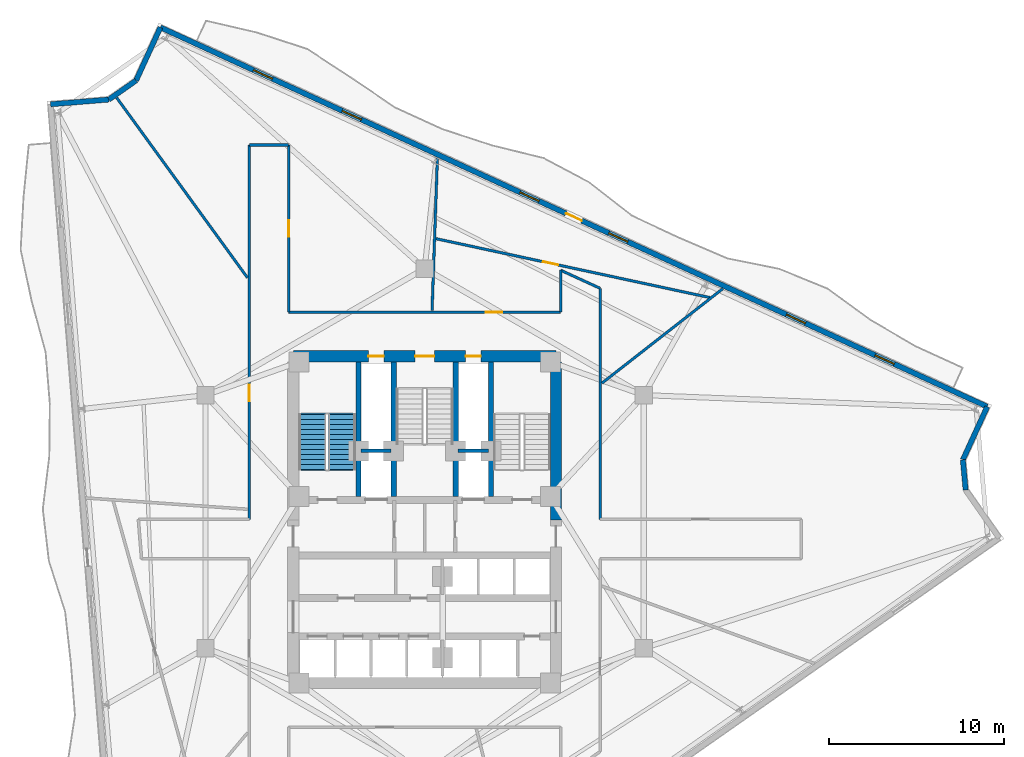
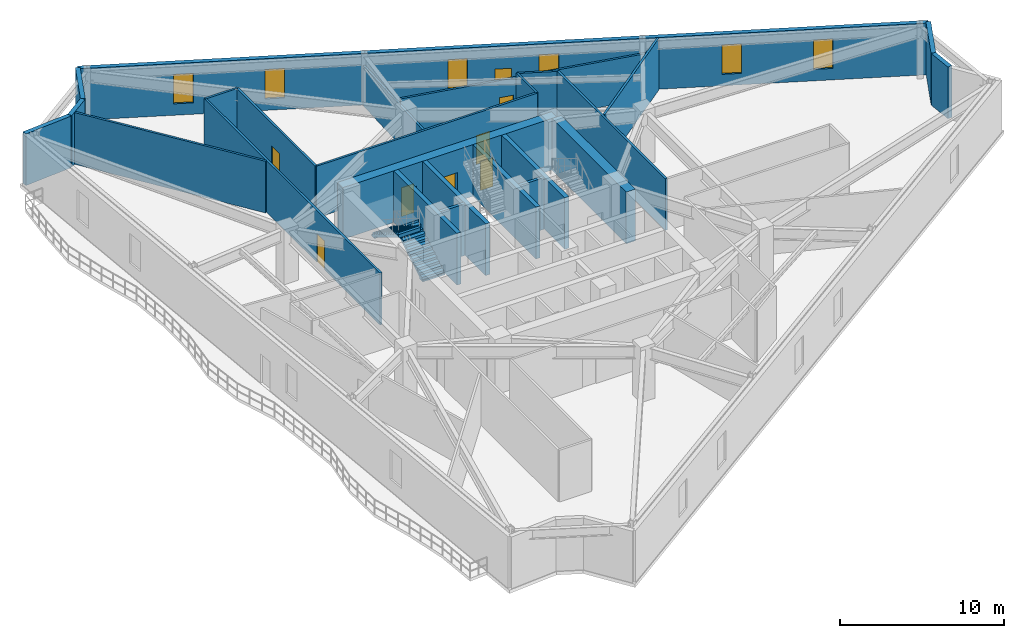
# One storey, part 6 of 10: 25 walls, 8 doors, 6 windows, 2 stair flights, 14 openings, 1 element without a shape of its own.
"""IFC4 building model written with IfcOpenShell, lengths in metres."""

from ifc_helpers import new_model, si_unit, direction, frame, frame_2d, origin, place, context, subcontext, project, spatial, polyline, rectangle, outline, extrude, material, layer, layer_set, type_object, element, fill, aggregate, save


model = new_model("IFC4")

# Units and contexts
model_context = context("Model", 3, precision=1e-05, world=origin(), true_north=direction((0.0, 1.0)))
body_context = subcontext(model_context, "Body", "Model", "MODEL_VIEW")
ifc_project = project(units=[si_unit("LENGTHUNIT", "METRE"), si_unit("AREAUNIT", "SQUARE_METRE"), si_unit("VOLUMEUNIT", "CUBIC_METRE"), si_unit("PLANEANGLEUNIT", "RADIAN"), si_unit("MASSUNIT", "GRAM", prefix="KILO")], contexts=[model_context])

# Site, building, storey
site_placement = place(None, origin())
site = spatial("IfcSite", under=ifc_project, at=site_placement, CompositionType="ELEMENT")
building_placement = place(site_placement, origin())
building = spatial("IfcBuilding", under=site, at=building_placement, Name="Apsidion Concourse Tower", CompositionType="ELEMENT")
storey_placement = place(building_placement, frame((0.0, 0.0, 202.39990234375)))
storey = spatial("IfcBuildingStorey", under=building, at=storey_placement, Name="L47", CompositionType="ELEMENT", Elevation=202.39990234375)

# Wall, openings, door, windows
ifc_material_1 = material(Name="Precast concrete C40/50", Category="concrete")
ifc_layer_1 = layer(ifc_material_1, 0.300048828125)
ifc_layer_set_1 = layer_set([ifc_layer_1], Name="Precast concrete C40/50")
wall_type_1 = type_object("IfcWallType", Name="WL-EXT-300", PredefinedType="STANDARD", material=ifc_layer_set_1)
wall_1_placement = place(storey_placement, frame((-15.1435546875, 28.32177734375, 0.0), z_axis=(0.0, 0.0, 1.0), x_axis=(0.908932099953, -0.416944166136, 0.0)))
wall_1 = element("IfcWall", 1, at=wall_1_placement, inside=storey, type_object=wall_type_1, Name="L47 Precast Stone Facade Wall 01", PredefinedType="STANDARD", context=body_context, shape_type="SweptSolid", body=[
    extrude(rectangle(XDim=52.127685546875, YDim=0.300048828125, at=frame_2d((26.06396484375, 0.0))), origin(), (0.0, 0.0, 1.0), 3.85009765625),
])
opening_1_placement = place(wall_1_placement, frame((25.56396484375, 0.0, 0.0)))
opening_1 = element("IfcOpeningElement", 2, at=opening_1_placement, cuts=wall_1, Name="Opening D-T1R", PredefinedType="OPENING", context=body_context, shape_type="SweptSolid", body=[
    extrude(rectangle(XDim=1.0, YDim=2.14990234375, at=frame_2d((0.5, 1.074951171875))), frame((0.0, 0.16015625, 0.0), z_axis=(0.0, -1.0, 0.0), x_axis=(1.0, 0.0, 0.0)), (0.0, 0.0, 1.0), 0.320068359375),
])
opening_2_placement = place(wall_1_placement, frame((5.864013671875, 0.0, 0.85009765625)))
opening_2 = element("IfcOpeningElement", 3, at=opening_2_placement, cuts=wall_1, Name="Opening WN-06", PredefinedType="OPENING", context=body_context, shape_type="SweptSolid", body=[
    extrude(rectangle(XDim=1.199951171875, YDim=2.199951171875, at=frame_2d((0.60009765625, 1.10009765625))), frame((0.0, 0.16015625, 0.0), z_axis=(0.0, -1.0, 0.0), x_axis=(1.0, 0.0, 0.0)), (0.0, 0.0, 1.0), 0.320068359375),
])
opening_3_placement = place(wall_1_placement, frame((11.4638671875, 0.0, 0.85009765625)))
opening_3 = element("IfcOpeningElement", 4, at=opening_3_placement, cuts=wall_1, Name="Opening WN-06", PredefinedType="OPENING", context=body_context, shape_type="SweptSolid", body=[
    extrude(rectangle(XDim=1.199951171875, YDim=2.199951171875, at=frame_2d((0.60009765625, 1.10009765625))), frame((0.0, 0.16015625, 0.0), z_axis=(0.0, -1.0, 0.0), x_axis=(1.0, 0.0, 0.0)), (0.0, 0.0, 1.0), 0.320068359375),
])
opening_4_placement = place(wall_1_placement, frame((22.663818359375, 0.0, 0.85009765625)))
opening_4 = element("IfcOpeningElement", 5, at=opening_4_placement, cuts=wall_1, Name="Opening WN-06", PredefinedType="OPENING", context=body_context, shape_type="SweptSolid", body=[
    extrude(rectangle(XDim=1.199951171875, YDim=2.199951171875, at=frame_2d((0.60009765625, 1.10009765625))), frame((0.0, 0.16015625, 0.0), z_axis=(0.0, -1.0, 0.0), x_axis=(1.0, 0.0, 0.0)), (0.0, 0.0, 1.0), 0.320068359375),
])
opening_5_placement = place(wall_1_placement, frame((28.263916015625, 0.0, 0.85009765625)))
opening_5 = element("IfcOpeningElement", 6, at=opening_5_placement, cuts=wall_1, Name="Opening WN-06", PredefinedType="OPENING", context=body_context, shape_type="SweptSolid", body=[
    extrude(rectangle(XDim=1.199951171875, YDim=2.199951171875, at=frame_2d((0.60009765625, 1.10009765625))), frame((0.0, 0.16015625, 0.0), z_axis=(0.0, -1.0, 0.0), x_axis=(1.0, 0.0, 0.0)), (0.0, 0.0, 1.0), 0.320068359375),
])
opening_6_placement = place(wall_1_placement, frame((39.4638671875, 0.0, 0.85009765625)))
opening_6 = element("IfcOpeningElement", 7, at=opening_6_placement, cuts=wall_1, Name="Opening WN-06", PredefinedType="OPENING", context=body_context, shape_type="SweptSolid", body=[
    extrude(rectangle(XDim=1.199951171875, YDim=2.199951171875, at=frame_2d((0.60009765625, 1.10009765625))), frame((0.0, 0.16015625, 0.0), z_axis=(0.0, -1.0, 0.0), x_axis=(1.0, 0.0, 0.0)), (0.0, 0.0, 1.0), 0.320068359375),
])
opening_7_placement = place(wall_1_placement, frame((45.06396484375, 0.0, 0.85009765625)))
opening_7 = element("IfcOpeningElement", 8, at=opening_7_placement, cuts=wall_1, Name="Opening WN-06", PredefinedType="OPENING", context=body_context, shape_type="SweptSolid", body=[
    extrude(rectangle(XDim=1.199951171875, YDim=2.199951171875, at=frame_2d((0.60009765625, 1.10009765625))), frame((0.0, 0.16015625, 0.0), z_axis=(0.0, -1.0, 0.0), x_axis=(1.0, 0.0, 0.0)), (0.0, 0.0, 1.0), 0.320068359375),
])
ifc_material_2 = material(Name="Anodised aluminium EN AW-6063 T6", Category="aluminium")
door_type_1 = type_object("IfcDoorType", Name="DR-TER-1022R", OperationType="SINGLE_SWING_RIGHT", PredefinedType="DOOR", material=ifc_material_2)
door_1_placement = place(opening_1_placement, origin())
door_1 = element("IfcDoor", 9, at=door_1_placement, inside=storey, type_object=door_type_1, Name="L47 Balcony Access Door 1", OperationType="SINGLE_SWING_RIGHT", OverallHeight=2.14990234375, OverallWidth=1.0, PredefinedType="DOOR", context=body_context, shape_type="SweptSolid", body=[
    extrude(rectangle(XDim=1.0, YDim=2.14990234375, at=frame_2d((0.5, 1.074951171875))), frame((0.0, 0.02490234375, 0.0), z_axis=(0.0, -1.0, 0.0), x_axis=(1.0, 0.0, 0.0)), (0.0, 0.0, 1.0), 0.050048828125),
])
fill(opening_1, door_1)
ifc_material_3 = material(Name="Insulated laminated low-E glass", Category="glass")
window_type = type_object("IfcWindowType", Name="WN-OFF-1224", PartitioningType="SINGLE_PANEL", PredefinedType="WINDOW", material=ifc_material_3)
window_1_placement = place(opening_2_placement, origin())
window_1 = element("IfcWindow", 10, at=window_1_placement, inside=storey, type_object=window_type, Name="L47 Punched Facade Window 1-01", OverallHeight=2.199951171875, OverallWidth=1.199951171875, PartitioningType="SINGLE_PANEL", PredefinedType="WINDOW", context=body_context, shape_type="SweptSolid", body=[
    extrude(rectangle(XDim=1.199951171875, YDim=2.199951171875, at=frame_2d((0.60009765625, 1.10009765625))), frame((0.0, 0.030029296875, 0.0), z_axis=(0.0, -1.0, 0.0), x_axis=(1.0, 0.0, 0.0)), (0.0, 0.0, 1.0), 0.06005859375),
])
fill(opening_2, window_1)
window_2_placement = place(opening_3_placement, origin())
window_2 = element("IfcWindow", 11, at=window_2_placement, inside=storey, type_object=window_type, Name="L47 Punched Facade Window 1-02", OverallHeight=2.199951171875, OverallWidth=1.199951171875, PartitioningType="SINGLE_PANEL", PredefinedType="WINDOW", context=body_context, shape_type="SweptSolid", body=[
    extrude(rectangle(XDim=1.199951171875, YDim=2.199951171875, at=frame_2d((0.60009765625, 1.10009765625))), frame((0.0, 0.030029296875, 0.0), z_axis=(0.0, -1.0, 0.0), x_axis=(1.0, 0.0, 0.0)), (0.0, 0.0, 1.0), 0.06005859375),
])
fill(opening_3, window_2)
window_3_placement = place(opening_4_placement, origin())
window_3 = element("IfcWindow", 12, at=window_3_placement, inside=storey, type_object=window_type, Name="L47 Punched Facade Window 1-04", OverallHeight=2.199951171875, OverallWidth=1.199951171875, PartitioningType="SINGLE_PANEL", PredefinedType="WINDOW", context=body_context, shape_type="SweptSolid", body=[
    extrude(rectangle(XDim=1.199951171875, YDim=2.199951171875, at=frame_2d((0.60009765625, 1.10009765625))), frame((0.0, 0.030029296875, 0.0), z_axis=(0.0, -1.0, 0.0), x_axis=(1.0, 0.0, 0.0)), (0.0, 0.0, 1.0), 0.06005859375),
])
fill(opening_4, window_3)
window_4_placement = place(opening_5_placement, origin())
window_4 = element("IfcWindow", 13, at=window_4_placement, inside=storey, type_object=window_type, Name="L47 Punched Facade Window 1-05", OverallHeight=2.199951171875, OverallWidth=1.199951171875, PartitioningType="SINGLE_PANEL", PredefinedType="WINDOW", context=body_context, shape_type="SweptSolid", body=[
    extrude(rectangle(XDim=1.199951171875, YDim=2.199951171875, at=frame_2d((0.60009765625, 1.10009765625))), frame((0.0, 0.030029296875, 0.0), z_axis=(0.0, -1.0, 0.0), x_axis=(1.0, 0.0, 0.0)), (0.0, 0.0, 1.0), 0.06005859375),
])
fill(opening_5, window_4)
window_5_placement = place(opening_6_placement, origin())
window_5 = element("IfcWindow", 14, at=window_5_placement, inside=storey, type_object=window_type, Name="L47 Punched Facade Window 1-07", OverallHeight=2.199951171875, OverallWidth=1.199951171875, PartitioningType="SINGLE_PANEL", PredefinedType="WINDOW", context=body_context, shape_type="SweptSolid", body=[
    extrude(rectangle(XDim=1.199951171875, YDim=2.199951171875, at=frame_2d((0.60009765625, 1.10009765625))), frame((0.0, 0.030029296875, 0.0), z_axis=(0.0, -1.0, 0.0), x_axis=(1.0, 0.0, 0.0)), (0.0, 0.0, 1.0), 0.06005859375),
])
fill(opening_6, window_5)
window_6_placement = place(opening_7_placement, origin())
window_6 = element("IfcWindow", 15, at=window_6_placement, inside=storey, type_object=window_type, Name="L47 Punched Facade Window 1-08", OverallHeight=2.199951171875, OverallWidth=1.199951171875, PartitioningType="SINGLE_PANEL", PredefinedType="WINDOW", context=body_context, shape_type="SweptSolid", body=[
    extrude(rectangle(XDim=1.199951171875, YDim=2.199951171875, at=frame_2d((0.60009765625, 1.10009765625))), frame((0.0, 0.030029296875, 0.0), z_axis=(0.0, -1.0, 0.0), x_axis=(1.0, 0.0, 0.0)), (0.0, 0.0, 1.0), 0.06005859375),
])
fill(opening_7, window_6)

# Walls
wall_2_placement = place(storey_placement, frame((32.237060546875, 6.58740234375, 0.0), z_axis=(0.0, 0.0, 1.0), x_axis=(-0.416956203263, -0.908926578201, 0.0)))
element("IfcWall", 16, at=wall_2_placement, inside=storey, type_object=wall_type_1, Name="L47 Precast Stone Facade Wall 02", PredefinedType="STANDARD", context=body_context, shape_type="SweptSolid", body=[
    extrude(rectangle(XDim=3.345703125, YDim=0.300048828125, at=frame_2d((1.6728515625, 0.0))), origin(), (0.0, 0.0, 1.0), 3.85009765625),
])
wall_3_placement = place(storey_placement, frame((30.842041015625, 3.54638671875, 0.0), z_axis=(0.0, 0.0, 1.0), x_axis=(0.09030850916, -0.995913838228, 0.0)))
element("IfcWall", 17, at=wall_3_placement, inside=storey, type_object=wall_type_1, Name="L47 Precast Stone Facade Wall 03", PredefinedType="STANDARD", context=body_context, shape_type="SweptSolid", body=[
    extrude(rectangle(XDim=1.74365234375, YDim=0.300048828125, at=frame_2d((0.871826171875, 0.0))), origin(), (0.0, 0.0, 1.0), 3.85009765625),
])
wall_4_placement = place(storey_placement, frame((-21.4345703125, 23.9169921875, 0.0), z_axis=(0.0, 0.0, 1.0), x_axis=(0.99672253381, 0.080896171692, 0.0)))
element("IfcWall", 18, at=wall_4_placement, inside=storey, type_object=wall_type_1, Name="L47 Precast Stone Facade Wall 10", PredefinedType="STANDARD", context=body_context, shape_type="SweptSolid", body=[
    extrude(rectangle(XDim=3.346923828125, YDim=0.300048828125, at=frame_2d((1.67333984375, 0.0))), origin(), (0.0, 0.0, 1.0), 3.85009765625),
])
wall_5_placement = place(storey_placement, frame((-18.0986328125, 24.187744140625, 0.0), z_axis=(0.0, 0.0, 1.0), x_axis=(0.819147570989, 0.573582824833, 0.0)))
element("IfcWall", 19, at=wall_5_placement, inside=storey, type_object=wall_type_1, Name="L47 Precast Stone Facade Wall 11", PredefinedType="STANDARD", context=body_context, shape_type="SweptSolid", body=[
    extrude(rectangle(XDim=1.90380859375, YDim=0.300048828125, at=frame_2d((0.951904296875, 0.0))), origin(), (0.0, 0.0, 1.0), 3.85009765625),
])
wall_6_placement = place(storey_placement, frame((-16.5390625, 25.27978515625, 0.0), z_axis=(0.0, 0.0, 1.0), x_axis=(0.416966150663, 0.908922014917, 0.0)))
element("IfcWall", 20, at=wall_6_placement, inside=storey, type_object=wall_type_1, Name="L47 Precast Stone Facade Wall 12", PredefinedType="STANDARD", context=body_context, shape_type="SweptSolid", body=[
    extrude(rectangle(XDim=3.346923828125, YDim=0.300048828125, at=frame_2d((1.67333984375, 0.0))), origin(), (0.0, 0.0, 1.0), 3.85009765625),
])

# Wall, opening, door
ifc_material_4 = material(Name="Gypsum plasterboard partition")
ifc_layer_2 = layer(ifc_material_4, 0.14990234375)
ifc_layer_set_2 = layer_set([ifc_layer_2], Name="Gypsum plasterboard partition")
wall_type_2 = type_object("IfcWallType", Name="WL-INT-PAR-150", PredefinedType="PARTITIONING", material=ifc_layer_set_2)
wall_7_placement = place(storey_placement, frame((-10.050048828125, 0.1298828125, 0.0), z_axis=(0.0, 0.0, 1.0), x_axis=(0.0, 1.0, 0.0)))
wall_7 = element("IfcWall", 21, at=wall_7_placement, inside=storey, type_object=wall_type_2, Name="L47 Interior Partition WL-L47-CORR-10", PredefinedType="PARTITIONING", context=body_context, shape_type="SweptSolid", body=[
    extrude(rectangle(XDim=21.4501953125, YDim=0.14990234375, at=frame_2d((10.72509765625, 0.0))), origin(), (0.0, 0.0, 1.0), 3.85009765625),
])
opening_8_placement = place(wall_7_placement, frame((6.76220703125, 0.0, 0.0)))
opening_8 = element("IfcOpeningElement", 22, at=opening_8_placement, cuts=wall_7, Name="Opening D-01L", PredefinedType="OPENING", context=body_context, shape_type="SweptSolid", body=[
    extrude(rectangle(XDim=0.949951171875, YDim=2.14990234375, at=frame_2d((0.47509765625, 1.074951171875))), frame((0.0, 0.0849609375, 0.0), z_axis=(0.0, -1.0, 0.0), x_axis=(1.0, 0.0, 0.0)), (0.0, 0.0, 1.0), 0.169921875),
])
ifc_material_5 = material(Name="Brushed stainless steel 316", Category="steel")
door_type_2 = type_object("IfcDoorType", Name="DR-INT-D01L", OperationType="SINGLE_SWING_LEFT", PredefinedType="DOOR", material=ifc_material_5)
door_2_placement = place(opening_8_placement, origin())
door_2 = element("IfcDoor", 23, at=door_2_placement, inside=storey, type_object=door_type_2, Name="L47 Corridor Entry Door 07", OperationType="SINGLE_SWING_LEFT", OverallHeight=2.14990234375, OverallWidth=0.949951171875, PredefinedType="DOOR", context=body_context, shape_type="SweptSolid", body=[
    extrude(rectangle(XDim=0.949951171875, YDim=2.14990234375, at=frame_2d((0.47509765625, 1.074951171875))), frame((0.0, 0.02490234375, 0.0), z_axis=(0.0, -1.0, 0.0), x_axis=(1.0, 0.0, 0.0)), (0.0, 0.0, 1.0), 0.050048828125),
])
fill(opening_8, door_2)

# Wall
wall_8_placement = place(storey_placement, frame((-10.050048828125, 21.580078125, 0.0), z_axis=(0.0, 0.0, 1.0), x_axis=(1.0, 0.0, 0.0)))
element("IfcWall", 24, at=wall_8_placement, inside=storey, type_object=wall_type_2, Name="L47 Interior Partition WL-L47-CORR-11", PredefinedType="PARTITIONING", context=body_context, shape_type="SweptSolid", body=[
    extrude(rectangle(XDim=2.260009765625, YDim=0.14990234375, at=frame_2d((1.1298828125, 0.0))), origin(), (0.0, 0.0, 1.0), 3.85009765625),
])

# Wall, opening, door
wall_9_placement = place(storey_placement, frame((-7.7900390625, 21.580078125, 0.0), z_axis=(0.0, 0.0, 1.0), x_axis=(0.0, -1.0, 0.0)))
wall_9 = element("IfcWall", 25, at=wall_9_placement, inside=storey, type_object=wall_type_2, Name="L47 Interior Partition WL-L47-CORR-12", PredefinedType="PARTITIONING", context=body_context, shape_type="SweptSolid", body=[
    extrude(rectangle(XDim=9.580078125, YDim=0.14990234375, at=frame_2d((4.7900390625, 0.0))), origin(), (0.0, 0.0, 1.0), 3.85009765625),
])
opening_9_placement = place(wall_9_placement, frame((4.31494140625, 0.0, 0.0)))
opening_9 = element("IfcOpeningElement", 26, at=opening_9_placement, cuts=wall_9, Name="Opening D-01R", PredefinedType="OPENING", context=body_context, shape_type="SweptSolid", body=[
    extrude(rectangle(XDim=0.949951171875, YDim=2.14990234375, at=frame_2d((0.47509765625, 1.074951171875))), frame((0.0, 0.0849609375, 0.0), z_axis=(0.0, -1.0, 0.0), x_axis=(1.0, 0.0, 0.0)), (0.0, 0.0, 1.0), 0.169921875),
])
door_type_3 = type_object("IfcDoorType", Name="DR-INT-D01R", OperationType="SINGLE_SWING_RIGHT", PredefinedType="DOOR", material=ifc_material_5)
door_3_placement = place(opening_9_placement, origin())
door_3 = element("IfcDoor", 27, at=door_3_placement, inside=storey, type_object=door_type_3, Name="L47 Corridor Entry Door 06", OperationType="SINGLE_SWING_RIGHT", OverallHeight=2.14990234375, OverallWidth=0.949951171875, PredefinedType="DOOR", context=body_context, shape_type="SweptSolid", body=[
    extrude(rectangle(XDim=0.949951171875, YDim=2.14990234375, at=frame_2d((0.47509765625, 1.074951171875))), frame((0.0, 0.02490234375, 0.0), z_axis=(0.0, -1.0, 0.0), x_axis=(1.0, 0.0, 0.0)), (0.0, 0.0, 1.0), 0.050048828125),
])
fill(opening_9, door_3)

wall_10_placement = place(storey_placement, frame((-7.7900390625, 12.0, 0.0), z_axis=(0.0, 0.0, 1.0), x_axis=(1.0, 0.0, 0.0)))
wall_10 = element("IfcWall", 28, at=wall_10_placement, inside=storey, type_object=wall_type_2, Name="L47 Interior Partition WL-L47-CORR-13", PredefinedType="PARTITIONING", context=body_context, shape_type="SweptSolid", body=[
    extrude(rectangle(XDim=15.580078125, YDim=0.14990234375, at=frame_2d((7.7900390625, 0.0))), origin(), (0.0, 0.0, 1.0), 3.85009765625),
])
opening_10_placement = place(wall_10_placement, frame((11.29248046875, 0.0, 0.0)))
opening_10 = element("IfcOpeningElement", 29, at=opening_10_placement, cuts=wall_10, Name="Opening D-01L", PredefinedType="OPENING", context=body_context, shape_type="SweptSolid", body=[
    extrude(rectangle(XDim=0.949951171875, YDim=2.14990234375, at=frame_2d((0.47509765625, 1.074951171875))), frame((0.0, 0.0849609375, 0.0), z_axis=(0.0, -1.0, 0.0), x_axis=(1.0, 0.0, 0.0)), (0.0, 0.0, 1.0), 0.169921875),
])
door_4_placement = place(opening_10_placement, origin())
door_4 = element("IfcDoor", 30, at=door_4_placement, inside=storey, type_object=door_type_2, Name="L47 Corridor Entry Door 05", OperationType="SINGLE_SWING_LEFT", OverallHeight=2.14990234375, OverallWidth=0.949951171875, PredefinedType="DOOR", context=body_context, shape_type="SweptSolid", body=[
    extrude(rectangle(XDim=0.949951171875, YDim=2.14990234375, at=frame_2d((0.47509765625, 1.074951171875))), frame((0.0, 0.02490234375, 0.0), z_axis=(0.0, -1.0, 0.0), x_axis=(1.0, 0.0, 0.0)), (0.0, 0.0, 1.0), 0.050048828125),
])
fill(opening_10, door_4)

# Walls
wall_11_placement = place(storey_placement, frame((7.7900390625, 12.0, 0.0), z_axis=(0.0, 0.0, 1.0), x_axis=(0.0, 1.0, 0.0)))
element("IfcWall", 31, at=wall_11_placement, inside=storey, type_object=wall_type_2, Name="L47 Interior Partition WL-L47-CORR-14", PredefinedType="PARTITIONING", context=body_context, shape_type="SweptSolid", body=[
    extrude(rectangle(XDim=2.40771484375, YDim=0.14990234375, at=frame_2d((1.203857421875, 0.0))), origin(), (0.0, 0.0, 1.0), 3.85009765625),
])
wall_12_placement = place(storey_placement, frame((7.7900390625, 14.40771484375, 0.0), z_axis=(0.0, 0.0, 1.0), x_axis=(0.908908252736, -0.416996148792, 0.0)))
element("IfcWall", 32, at=wall_12_placement, inside=storey, type_object=wall_type_2, Name="L47 Interior Partition WL-L47-CORR-15", PredefinedType="PARTITIONING", context=body_context, shape_type="SweptSolid", body=[
    extrude(rectangle(XDim=2.486572265625, YDim=0.14990234375, at=frame_2d((1.2431640625, 0.0))), origin(), (0.0, 0.0, 1.0), 3.85009765625),
])
wall_13_placement = place(storey_placement, frame((10.050048828125, 13.370849609375, 0.0), z_axis=(0.0, 0.0, 1.0), x_axis=(0.0, -1.0, 0.0)))
element("IfcWall", 33, at=wall_13_placement, inside=storey, type_object=wall_type_2, Name="L47 Interior Partition WL-L47-CORR-16", PredefinedType="PARTITIONING", context=body_context, shape_type="SweptSolid", body=[
    extrude(rectangle(XDim=13.240966796875, YDim=0.14990234375, at=frame_2d((6.62060546875, 0.0))), origin(), (0.0, 0.0, 1.0), 3.85009765625),
])
wall_14_placement = place(storey_placement, frame((10.155029296875, 7.93408203125, 0.0), z_axis=(0.0, 0.0, 1.0), x_axis=(0.788009236084, 0.615663417661, 0.0)))
element("IfcWall", 34, at=wall_14_placement, inside=storey, type_object=wall_type_2, Name="L47 Interior Partition WL-L47-RAD-01-1", PredefinedType="PARTITIONING", context=body_context, shape_type="SweptSolid", body=[
    extrude(rectangle(XDim=8.802490234375, YDim=0.14990234375, at=frame_2d((4.4013671875, 0.0))), origin(), (0.0, 0.0, 1.0), 3.85009765625),
])
wall_15_placement = place(storey_placement, frame((0.422607421875, 12.10498046875, 0.0), z_axis=(0.0, 0.0, 1.0), x_axis=(0.034921100997, 0.999390072347, 0.0)))
element("IfcWall", 35, at=wall_15_placement, inside=storey, type_object=wall_type_2, Name="L47 Interior Partition WL-L47-RAD-02-1", PredefinedType="PARTITIONING", context=body_context, shape_type="SweptSolid", body=[
    extrude(rectangle(XDim=8.760009765625, YDim=0.14990234375, at=frame_2d((4.3798828125, 0.0))), origin(), (0.0, 0.0, 1.0), 2.97119140625),
])
wall_16_placement = place(storey_placement, frame((-10.155029296875, 13.977294921875, 0.0), z_axis=(0.0, 0.0, 1.0), x_axis=(-0.587787020545, 0.809015709661, 0.0)))
element("IfcWall", 36, at=wall_16_placement, inside=storey, type_object=wall_type_2, Name="L47 Interior Partition WL-L47-RAD-03-1", PredefinedType="PARTITIONING", context=body_context, shape_type="SweptSolid", body=[
    extrude(rectangle(XDim=12.75732421875, YDim=0.14990234375, at=frame_2d((6.378662109375, 0.0))), origin(), (0.0, 0.0, 1.0), 3.85009765625),
])

# Wall, opening, door
wall_17_placement = place(storey_placement, frame((16.38232421875, 12.8310546875, 0.0), z_axis=(0.0, 0.0, 1.0), x_axis=(-0.977652186516, 0.210228928076, 0.0)))
wall_17 = element("IfcWall", 37, at=wall_17_placement, inside=storey, type_object=wall_type_2, Name="L47 Interior Partition WL-L47-CHD-OFS04", PredefinedType="PARTITIONING", context=body_context, shape_type="SweptSolid", body=[
    extrude(rectangle(XDim=16.1513671875, YDim=0.14990234375, at=frame_2d((8.07568359375, 0.0))), origin(), (0.0, 0.0, 1.0), 3.373046875),
])
opening_11_placement = place(wall_17_placement, frame((8.92578125, 0.0, 0.0)))
opening_11 = element("IfcOpeningElement", 38, at=opening_11_placement, cuts=wall_17, Name="Opening D-02L", PredefinedType="OPENING", context=body_context, shape_type="SweptSolid", body=[
    extrude(rectangle(XDim=0.89990234375, YDim=2.10009765625, at=frame_2d((0.449951171875, 1.050048828125))), frame((0.0, 0.0849609375, 0.0), z_axis=(0.0, -1.0, 0.0), x_axis=(1.0, 0.0, 0.0)), (0.0, 0.0, 1.0), 0.169921875),
])
door_type_4 = type_object("IfcDoorType", Name="DR-INT-D02L", OperationType="SINGLE_SWING_LEFT", PredefinedType="DOOR", material=ifc_material_2)
door_5_placement = place(opening_11_placement, origin())
door_5 = element("IfcDoor", 39, at=door_5_placement, inside=storey, type_object=door_type_4, Name="L47 Suite Connecting Door OFS04", OperationType="SINGLE_SWING_LEFT", OverallHeight=2.10009765625, OverallWidth=0.89990234375, PredefinedType="DOOR", context=body_context, shape_type="SweptSolid", body=[
    extrude(rectangle(XDim=0.89990234375, YDim=2.10009765625, at=frame_2d((0.449951171875, 1.050048828125))), frame((0.0, 0.02490234375, 0.0), z_axis=(0.0, -1.0, 0.0), x_axis=(1.0, 0.0, 0.0)), (0.0, 0.0, 1.0), 0.050048828125),
])
fill(opening_11, door_5)

# Walls
ifc_layer_3 = layer(ifc_material_4, 0.199951171875)
ifc_layer_set_3 = layer_set([ifc_layer_3], Name="Gypsum plasterboard partition")
wall_type_3 = type_object("IfcWallType", Name="WL-INT-PAR-200", PredefinedType="PARTITIONING", material=ifc_layer_set_3)
for number, where, z_axis, x_axis, name in (
    (40, (-3.64990234375, 4.050048828125, 0.0), (0.0, 0.0, 1.0), (1.0, 0.0, 0.0), "L47 Interior Partition WL-L47-FF1-N"),
    (41, (1.919921875, 4.050048828125, 0.0), (0.0, 0.0, 1.0), (1.0, 0.0, 0.0), "L47 Interior Partition WL-L47-FF2-N"),
):
    element("IfcWall", number, at=place(storey_placement, frame(where, z_axis=z_axis, x_axis=x_axis)), inside=storey, type_object=wall_type_3, Name=name, PredefinedType="PARTITIONING", context=body_context, shape_type="SweptSolid", body=[
        extrude(rectangle(XDim=1.72998046875, YDim=0.199951171875, at=frame_2d((0.864990234375, 0.0))), origin(), (0.0, 0.0, 1.0), 3.85009765625),
    ])
ifc_material_6 = material(Name="Concrete C50/60", Category="concrete")
ifc_layer_4 = layer(ifc_material_6, 0.300048828125)
ifc_layer_set_4 = layer_set([ifc_layer_4], Name="Concrete C50/60")
wall_type_4 = type_object("IfcWallType", Name="WL-SH-300", PredefinedType="SHEAR", material=ifc_layer_set_4)
for number, where, z_axis, x_axis, name in (
    (42, (-3.800048828125, 1.449951171875, 0.0), (0.0, 0.0, 1.0), (0.0, 1.0, 0.0), "L47 Central Core Shear Wall V1"),
    (43, (-1.77490234375, 1.449951171875, 0.0), (0.0, 0.0, 1.0), (0.0, 1.0, 0.0), "L47 Central Core Shear Wall V2"),
    (44, (1.77490234375, 1.449951171875, 0.0), (0.0, 0.0, 1.0), (0.0, 1.0, 0.0), "L47 Central Core Shear Wall V3"),
    (45, (3.800048828125, 1.449951171875, 0.0), (0.0, 0.0, 1.0), (0.0, 1.0, 0.0), "L47 Central Core Shear Wall V4"),
):
    element("IfcWall", number, at=place(storey_placement, frame(where, z_axis=z_axis, x_axis=x_axis)), inside=storey, type_object=wall_type_4, Name=name, PredefinedType="SHEAR", context=body_context, shape_type="SweptSolid", body=[
        extrude(rectangle(XDim=7.699951171875, YDim=0.300048828125, at=frame_2d((3.85009765625, 0.0))), origin(), (0.0, 0.0, 1.0), 3.85009765625),
    ])

# Wall, openings, doors
ifc_layer_5 = layer(ifc_material_6, 0.64990234375)
ifc_layer_set_5 = layer_set([ifc_layer_5], Name="Concrete C50/60")
wall_type_5 = type_object("IfcWallType", Name="WL-SH-650", PredefinedType="SHEAR", material=ifc_layer_set_5)
wall_18_placement = place(storey_placement, frame((-7.52490234375, 9.47509765625, 0.0), z_axis=(0.0, 0.0, 1.0), x_axis=(1.0, 0.0, 0.0)))
wall_18 = element("IfcWall", 46, at=wall_18_placement, inside=storey, type_object=wall_type_5, Name="L47 Central Core Shear Wall N", PredefinedType="SHEAR", context=body_context, shape_type="SweptSolid", body=[
    extrude(rectangle(XDim=15.0498046875, YDim=0.64990234375, at=frame_2d((7.52490234375, 0.0))), origin(), (0.0, 0.0, 1.0), 3.85009765625),
])
opening_12_placement = place(wall_18_placement, frame((6.97509765625, 0.0, 0.0)))
opening_12 = element("IfcOpeningElement", 47, at=opening_12_placement, cuts=wall_18, Name="Opening D-STL", PredefinedType="OPENING", context=body_context, shape_type="SweptSolid", body=[
    extrude(rectangle(XDim=1.10009765625, YDim=2.14990234375, at=frame_2d((0.550048828125, 1.074951171875))), frame((0.0, 0.3349609375, 0.0), z_axis=(0.0, -1.0, 0.0), x_axis=(1.0, 0.0, 0.0)), (0.0, 0.0, 1.0), 0.669921875),
])
opening_13_placement = place(wall_18_placement, frame((4.304931640625, 0.0, 0.0)))
opening_13 = element("IfcOpeningElement", 48, at=opening_13_placement, cuts=wall_18, Name="Opening D-05L", PredefinedType="OPENING", context=body_context, shape_type="SweptSolid", body=[
    extrude(rectangle(XDim=0.8798828125, YDim=2.14990234375, at=frame_2d((0.43994140625, 1.074951171875))), frame((0.0, 0.3349609375, 0.0), z_axis=(0.0, -1.0, 0.0), x_axis=(1.0, 0.0, 0.0)), (0.0, 0.0, 1.0), 0.669921875),
])
opening_14_placement = place(wall_18_placement, frame((9.864990234375, 0.0, 0.0)))
opening_14 = element("IfcOpeningElement", 49, at=opening_14_placement, cuts=wall_18, Name="Opening D-05R", PredefinedType="OPENING", context=body_context, shape_type="SweptSolid", body=[
    extrude(rectangle(XDim=0.8798828125, YDim=2.14990234375, at=frame_2d((0.43994140625, 1.074951171875))), frame((0.0, 0.3349609375, 0.0), z_axis=(0.0, -1.0, 0.0), x_axis=(1.0, 0.0, 0.0)), (0.0, 0.0, 1.0), 0.669921875),
])
door_type_5 = type_object("IfcDoorType", Name="DR-INT-D05L", OperationType="SINGLE_SWING_LEFT", PredefinedType="DOOR", material=ifc_material_5)
door_6_placement = place(opening_13_placement, origin())
door_6 = element("IfcDoor", 50, at=door_6_placement, inside=storey, type_object=door_type_5, Name="L47 Electrical Riser Shaft Access Door", OperationType="SINGLE_SWING_LEFT", OverallHeight=2.14990234375, OverallWidth=0.8798828125, PredefinedType="DOOR", context=body_context, shape_type="SweptSolid", body=[
    extrude(rectangle(XDim=0.8798828125, YDim=2.14990234375, at=frame_2d((0.43994140625, 1.074951171875))), frame((0.0, 0.02490234375, 0.0), z_axis=(0.0, -1.0, 0.0), x_axis=(1.0, 0.0, 0.0)), (0.0, 0.0, 1.0), 0.050048828125),
])
fill(opening_13, door_6)
door_type_6 = type_object("IfcDoorType", Name="DR-INT-D05R", OperationType="SINGLE_SWING_RIGHT", PredefinedType="DOOR", material=ifc_material_5)
door_7_placement = place(opening_14_placement, origin())
door_7 = element("IfcDoor", 51, at=door_7_placement, inside=storey, type_object=door_type_6, Name="L47 Mechanical Riser Shaft Access Door", OperationType="SINGLE_SWING_RIGHT", OverallHeight=2.14990234375, OverallWidth=0.8798828125, PredefinedType="DOOR", context=body_context, shape_type="SweptSolid", body=[
    extrude(rectangle(XDim=0.8798828125, YDim=2.14990234375, at=frame_2d((0.43994140625, 1.074951171875))), frame((0.0, 0.02490234375, 0.0), z_axis=(0.0, -1.0, 0.0), x_axis=(1.0, 0.0, 0.0)), (0.0, 0.0, 1.0), 0.050048828125),
])
fill(opening_14, door_7)
door_type_7 = type_object("IfcDoorType", Name="DR-INT-ST1L", OperationType="SINGLE_SWING_LEFT", PredefinedType="DOOR", material=ifc_material_5)
door_8_placement = place(opening_12_placement, origin())
door_8 = element("IfcDoor", 52, at=door_8_placement, inside=storey, type_object=door_type_7, Name="L47 Core Exit Stair ST3 Door", OperationType="SINGLE_SWING_LEFT", OverallHeight=2.14990234375, OverallWidth=1.10009765625, PredefinedType="DOOR", context=body_context, shape_type="SweptSolid", body=[
    extrude(rectangle(XDim=1.10009765625, YDim=2.14990234375, at=frame_2d((0.550048828125, 1.074951171875))), frame((0.0, 0.02490234375, 0.0), z_axis=(0.0, -1.0, 0.0), x_axis=(1.0, 0.0, 0.0)), (0.0, 0.0, 1.0), 0.050048828125),
])
fill(opening_12, door_8)

# Wall
wall_19_placement = place(storey_placement, frame((7.52490234375, 0.10009765625, 0.0), z_axis=(0.0, 0.0, 1.0), x_axis=(0.0, 1.0, 0.0)))
element("IfcWall", 53, at=wall_19_placement, inside=storey, type_object=wall_type_5, Name="L47 Central Core Shear Wall EN", PredefinedType="SHEAR", context=body_context, shape_type="SweptSolid", body=[
    extrude(rectangle(XDim=9.0498046875, YDim=0.64990234375, at=frame_2d((4.52490234375, 0.0))), origin(), (0.0, 0.0, 1.0), 3.85009765625),
])

# Stair, stair flights
stair_type = type_object("IfcStairType", Name="ST-DL-1550", PredefinedType="HALF_TURN_STAIR", material=ifc_material_1)
stair_placement = place(storey_placement, origin())
stair = element("IfcStair", 54, at=stair_placement, inside=storey, type_object=stair_type, Name="L47 Protected Core Exit Stair ST1", PredefinedType="HALF_TURN_STAIR")
stair_flight_type = type_object("IfcStairFlightType", Name="SFL-RC-1550", PredefinedType="STRAIGHT", material=ifc_material_1)
stair_flight_1_placement = place(storey_placement, frame((-4.72509765625, 3.0, 0.0), z_axis=(0.0, 0.0, 1.0), x_axis=(0.0, 1.0, 0.0)))
stair_flight_1 = element("IfcStairFlight", 55, at=stair_flight_1_placement, type_object=stair_flight_type, Name="ST1 flight 1", NumberOfRisers=12, NumberOfTreads=11, PredefinedType="STRAIGHT", RiserHeight=0.170833333, TreadLength=0.285, context=body_context, shape_type="SweptSolid", body=[
    extrude(outline(polyline([(-0.080078125, -0.1123046875), (-0.080078125, 0.0), (0.0, 0.0), (0.0, 0.1708984375), (0.284912109375, 0.1708984375), (0.284912109375, 0.341552734375), (0.570068359375, 0.341552734375), (0.570068359375, 0.512451171875), (0.85498046875, 0.512451171875), (0.85498046875, 0.683349609375), (1.139892578125, 0.683349609375), (1.139892578125, 0.854248046875), (1.425048828125, 0.854248046875), (1.425048828125, 1.02490234375), (1.7099609375, 1.02490234375), (1.7099609375, 1.19580078125), (1.9951171875, 1.19580078125), (1.9951171875, 1.36669921875), (2.280029296875, 1.36669921875), (2.280029296875, 1.53759765625), (2.56494140625, 1.53759765625), (2.56494140625, 1.708251953125), (2.85009765625, 1.708251953125), (2.85009765625, 1.879150390625), (3.135009765625, 1.879150390625), (3.135009765625, 2.050048828125), (3.215087890625, 1.964599609375), (3.215087890625, 1.704345703125), (3.135009765625, 1.704345703125), (0.29150390625, 0.0), (0.29150390625, -0.1123046875), (-0.080078125, -0.1123046875)])), frame((0.0, 0.77490234375, 0.0), z_axis=(0.0, -1.0, 0.0), x_axis=(1.0, 0.0, 0.0)), (0.0, 0.0, 1.0), 1.550048828125),
])
stair_flight_2_placement = place(storey_placement, frame((-6.425048828125, 6.135009765625, 2.050048828125), z_axis=(0.0, 0.0, 1.0), x_axis=(0.0, -1.0, 0.0)))
stair_flight_2 = element("IfcStairFlight", 56, at=stair_flight_2_placement, type_object=stair_flight_type, Name="ST1 flight 2", NumberOfRisers=12, NumberOfTreads=11, PredefinedType="STRAIGHT", RiserHeight=0.170833333, TreadLength=0.285, context=body_context, shape_type="SweptSolid", body=[
    extrude(outline(polyline([(-0.080078125, -0.1123046875), (-0.080078125, 0.0), (0.0, 0.0), (0.0, 0.1708984375), (0.284912109375, 0.1708984375), (0.284912109375, 0.341552734375), (0.570068359375, 0.341552734375), (0.570068359375, 0.512451171875), (0.85498046875, 0.512451171875), (0.85498046875, 0.683349609375), (1.139892578125, 0.683349609375), (1.139892578125, 0.854248046875), (1.425048828125, 0.854248046875), (1.425048828125, 1.02490234375), (1.7099609375, 1.02490234375), (1.7099609375, 1.19580078125), (1.9951171875, 1.19580078125), (1.9951171875, 1.36669921875), (2.280029296875, 1.36669921875), (2.280029296875, 1.53759765625), (2.56494140625, 1.53759765625), (2.56494140625, 1.708251953125), (2.85009765625, 1.708251953125), (2.85009765625, 1.879150390625), (3.135009765625, 1.879150390625), (3.135009765625, 2.050048828125), (3.215087890625, 1.964599609375), (3.215087890625, 1.704345703125), (3.135009765625, 1.704345703125), (0.29150390625, 0.0), (0.29150390625, -0.1123046875), (-0.080078125, -0.1123046875)])), frame((0.0, 0.77490234375, 0.0), z_axis=(0.0, -1.0, 0.0), x_axis=(1.0, 0.0, 0.0)), (0.0, 0.0, 1.0), 1.550048828125),
])
aggregate(stair, [stair_flight_1, stair_flight_2])

save(model, "model.ifc")
